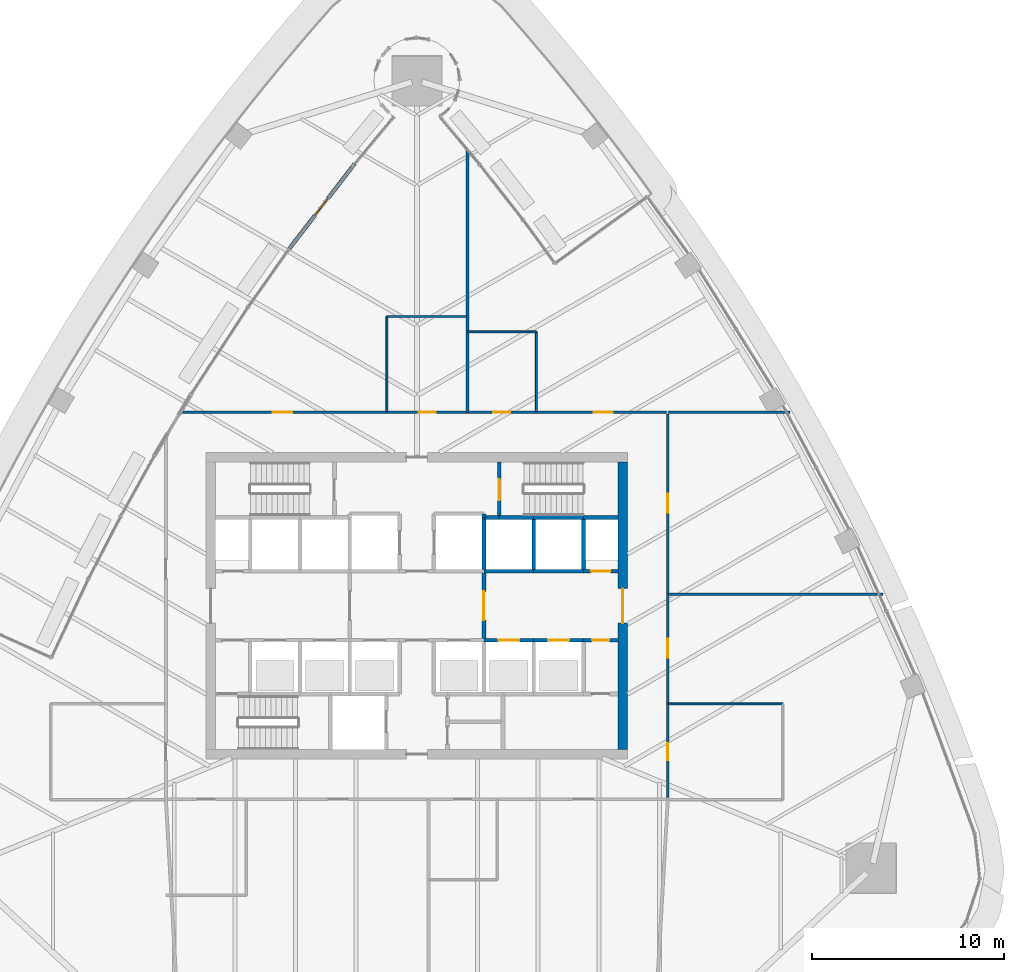
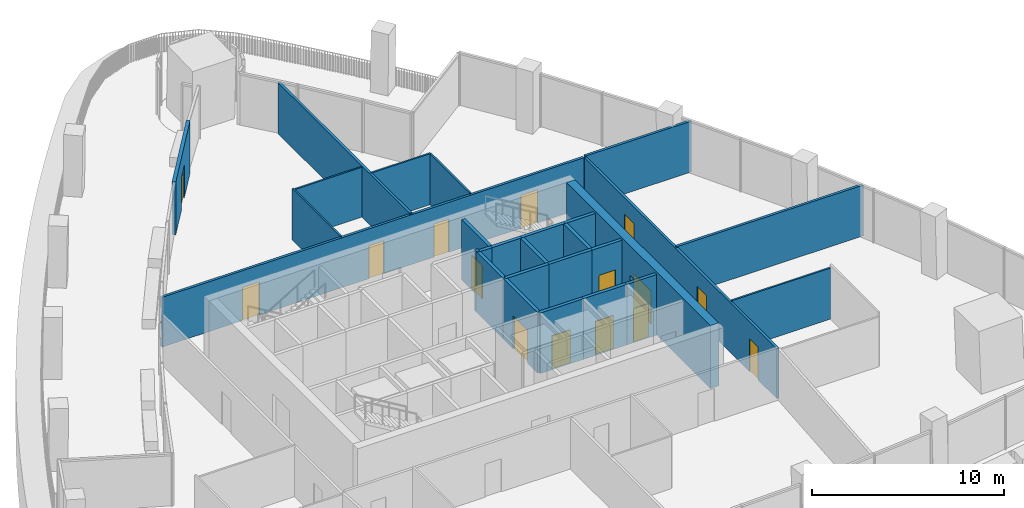
# One storey, part 13 of 19: 28 walls, 15 doors, 15 openings.
"""IFC4 building model written with IfcOpenShell, lengths in metres."""

from ifc_helpers import new_model, si_unit, direction, frame, frame_2d, origin, place, context, subcontext, project, spatial, rectangle, extrude, material, layer, layer_set, type_object, element, fill, save


model = new_model("IFC4")

# Units and contexts
model_context = context("Model", 3, precision=1e-05, world=origin(), true_north=direction((0.0, 1.0)))
body_context = subcontext(model_context, "Body", "Model", "MODEL_VIEW")
ifc_project = project(units=[si_unit("LENGTHUNIT", "METRE"), si_unit("AREAUNIT", "SQUARE_METRE"), si_unit("VOLUMEUNIT", "CUBIC_METRE"), si_unit("PLANEANGLEUNIT", "RADIAN"), si_unit("MASSUNIT", "GRAM", prefix="KILO")], contexts=[model_context])

# Site, building, storey
site_placement = place(None, origin())
site = spatial("IfcSite", under=ifc_project, at=site_placement, CompositionType="ELEMENT")
building_placement = place(site_placement, origin())
building = spatial("IfcBuilding", under=site, at=building_placement, Name="Sierra Prisma Convention Tower", CompositionType="ELEMENT")
storey_placement = place(building_placement, frame((0.0, 0.0, 173.800048828125)))
storey = spatial("IfcBuildingStorey", under=building, at=storey_placement, Name="L38", CompositionType="ELEMENT", Elevation=173.800048828125)

# Walls
ifc_material_1 = material(Name="Gypsum board partition", Category="gypsum")
ifc_layer_1 = layer(ifc_material_1, 0.10009765625)
ifc_layer_set_1 = layer_set([ifc_layer_1], Name="Bathroom partition 100")
wall_type_1 = type_object("IfcWallType", Name="Bathroom partition 100", PredefinedType="PARTITIONING", material=ifc_layer_set_1)
wall_1_placement = place(storey_placement, frame((-1.561767578125, 10.1298828125, 0.0), z_axis=(0.0, 0.0, 1.0), x_axis=(0.0, 1.0, 0.0)))
element("IfcWall", 1, at=wall_1_placement, inside=storey, type_object=wall_type_1, Name="Partition L38 bath 6", PredefinedType="PARTITIONING", context=body_context, shape_type="SweptSolid", body=[
    extrude(rectangle(XDim=4.97021484375, YDim=0.10009765625, at=frame_2d((2.485107421875, 0.0))), origin(), (0.0, 0.0, 1.0), 3.2470703125),
])
wall_2_placement = place(storey_placement, frame((-1.561767578125, 15.10009765625, 0.0), z_axis=(0.0, 0.0, 1.0), x_axis=(1.0, 0.0, 0.0)))
element("IfcWall", 2, at=wall_2_placement, inside=storey, type_object=wall_type_1, Name="Partition L38 bath 7", PredefinedType="PARTITIONING", context=body_context, shape_type="SweptSolid", body=[
    extrude(rectangle(XDim=4.170166015625, YDim=0.10009765625, at=frame_2d((2.0849609375, 0.0))), origin(), (0.0, 0.0, 1.0), 3.166015625),
])
wall_3_placement = place(storey_placement, frame((2.668212890625, 14.300048828125, 0.0), z_axis=(0.0, 0.0, 1.0), x_axis=(1.0, 0.0, 0.0)))
element("IfcWall", 3, at=wall_3_placement, inside=storey, type_object=wall_type_1, Name="Partition L38 bath 10", PredefinedType="PARTITIONING", context=body_context, shape_type="SweptSolid", body=[
    extrude(rectangle(XDim=3.570068359375, YDim=0.10009765625, at=frame_2d((1.78515625, 0.0))), origin(), (0.0, 0.0, 1.0), 3.2470703125),
])
wall_4_placement = place(storey_placement, frame((6.23828125, 14.300048828125, 0.0), z_axis=(0.0, 0.0, 1.0), x_axis=(0.0, -1.0, 0.0)))
element("IfcWall", 4, at=wall_4_placement, inside=storey, type_object=wall_type_1, Name="Partition L38 bath 11", PredefinedType="PARTITIONING", context=body_context, shape_type="SweptSolid", body=[
    extrude(rectangle(XDim=4.170166015625, YDim=0.10009765625, at=frame_2d((2.0849609375, 0.0))), origin(), (0.0, 0.0, 1.0), 3.2470703125),
])
wall_5_placement = place(storey_placement, frame((13.1298828125, -5.1201171875, 0.0), z_axis=(0.0, 0.0, 1.0), x_axis=(1.0, 0.0, 0.0)))
element("IfcWall", 5, at=wall_5_placement, inside=storey, type_object=wall_type_1, Name="Partition L38 bath 12", PredefinedType="PARTITIONING", context=body_context, shape_type="SweptSolid", body=[
    extrude(rectangle(XDim=5.97021484375, YDim=0.10009765625, at=frame_2d((2.985107421875, 0.0))), origin(), (0.0, 0.0, 1.0), 3.2470703125),
])
ifc_material_2 = material(Name="Concrete C30/37", Category="concrete")
ifc_layer_2 = layer(ifc_material_2, 0.199951171875)
ifc_layer_set_2 = layer_set([ifc_layer_2], Name="Core wall RC 200 C30/37")
wall_type_2 = type_object("IfcWallType", Name="Core wall RC 200 C30/37", PredefinedType="SOLIDWALL", material=ifc_layer_set_2)
wall_6_placement = place(storey_placement, frame((3.5, 4.60009765625, 0.0), z_axis=(0.0, 0.0, 1.0), x_axis=(0.0, 1.0, 0.0)))
element("IfcWall", 6, at=wall_6_placement, inside=storey, type_object=wall_type_2, Name="Core wall L38 39", PredefinedType="SOLIDWALL", context=body_context, shape_type="SweptSolid", body=[
    extrude(rectangle(XDim=0.199951171875, YDim=0.199951171875, at=frame_2d((0.10009765625, 0.0))), origin(), (0.0, 0.0, 1.0), 3.849853515625),
])

# Wall, opening, door
wall_7_placement = place(storey_placement, frame((3.5, -1.800048828125, 0.0), z_axis=(0.0, 0.0, 1.0), x_axis=(1.0, 0.0, 0.0)))
wall_7 = element("IfcWall", 7, at=wall_7_placement, inside=storey, type_object=wall_type_2, Name="Core wall L38 48", PredefinedType="SOLIDWALL", context=body_context, shape_type="SweptSolid", body=[
    extrude(rectangle(XDim=2.60009765625, YDim=0.199951171875, at=frame_2d((1.300048828125, 0.0))), origin(), (0.0, 0.0, 1.0), 3.849853515625),
])
opening_1_placement = place(wall_7_placement, frame((0.75, 0.0, 0.0)))
opening_1 = element("IfcOpeningElement", 8, at=opening_1_placement, cuts=wall_7, Name="Opening L38-D007", PredefinedType="OPENING", context=body_context, shape_type="SweptSolid", body=[
    extrude(rectangle(XDim=1.10009765625, YDim=2.10009765625, at=frame_2d((0.550048828125, 1.050048828125))), frame((0.0, 0.10009765625, 0.0), z_axis=(0.0, -1.0, 0.0), x_axis=(1.0, 0.0, 0.0)), (0.0, 0.0, 1.0), 0.199951171875),
])
ifc_material_3 = material(Name="Steel fire door leaf", Category="steel")
door_type_1 = type_object("IfcDoorType", Name="Door 1100x2100 EI 90 sliding lift landing", OperationType="SLIDING_TO_LEFT", PredefinedType="DOOR", material=ifc_material_3)
door_1_placement = place(opening_1_placement, origin())
door_1 = element("IfcDoor", 9, at=door_1_placement, inside=storey, type_object=door_type_1, Name="Door L38 18", OperationType="SLIDING_TO_LEFT", OverallHeight=2.10009765625, OverallWidth=1.10009765625, PredefinedType="DOOR", context=body_context, shape_type="SweptSolid", body=[
    extrude(rectangle(XDim=1.10009765625, YDim=2.10009765625, at=frame_2d((0.550048828125, 1.050048828125))), frame((0.0, 0.02490234375, 0.0), z_axis=(0.0, -1.0, 0.0), x_axis=(1.0, 0.0, 0.0)), (0.0, 0.0, 1.0), 0.050048828125),
])
fill(opening_1, door_1)

wall_8_placement = place(storey_placement, frame((3.5, -1.800048828125, 0.0), z_axis=(0.0, 0.0, 1.0), x_axis=(0.0, 1.0, 0.0)))
wall_8 = element("IfcWall", 10, at=wall_8_placement, inside=storey, type_object=wall_type_2, Name="Core wall L38 49", PredefinedType="SOLIDWALL", context=body_context, shape_type="SweptSolid", body=[
    extrude(rectangle(XDim=3.60009765625, YDim=0.199951171875, at=frame_2d((1.800048828125, 0.0))), origin(), (0.0, 0.0, 1.0), 3.849853515625),
])
opening_2_placement = place(wall_8_placement, frame((1.050048828125, 0.0, 0.0)))
opening_2 = element("IfcOpeningElement", 11, at=opening_2_placement, cuts=wall_8, Name="Opening L38-D013", PredefinedType="OPENING", context=body_context, shape_type="SweptSolid", body=[
    extrude(rectangle(XDim=1.5, YDim=2.10009765625, at=frame_2d((0.75, 1.050048828125))), frame((0.0, 0.10009765625, 0.0), z_axis=(0.0, -1.0, 0.0), x_axis=(1.0, 0.0, 0.0)), (0.0, 0.0, 1.0), 0.199951171875),
])
ifc_material_4 = material(Name="Steel fire door leaf", Category="steel")
door_type_2 = type_object("IfcDoorType", Name="Door 1500x2100 FD30S", OperationType="DOUBLE_DOOR_SINGLE_SWING", PredefinedType="DOOR", material=ifc_material_4)
door_2_placement = place(opening_2_placement, origin())
door_2 = element("IfcDoor", 12, at=door_2_placement, inside=storey, type_object=door_type_2, Name="Door L38 24", OperationType="DOUBLE_DOOR_SINGLE_SWING", OverallHeight=2.10009765625, OverallWidth=1.5, PredefinedType="DOOR", context=body_context, shape_type="SweptSolid", body=[
    extrude(rectangle(XDim=1.5, YDim=2.10009765625, at=frame_2d((0.75, 1.050048828125))), frame((0.0, 0.02490234375, 0.0), z_axis=(0.0, -1.0, 0.0), x_axis=(1.0, 0.0, 0.0)), (0.0, 0.0, 1.0), 0.050048828125),
])
fill(opening_2, door_2)

# Walls
wall_9_placement = place(storey_placement, frame((6.10009765625, 1.800048828125, 0.0), z_axis=(0.0, 0.0, 1.0), x_axis=(-1.0, 0.0, 0.0)))
element("IfcWall", 13, at=wall_9_placement, inside=storey, type_object=wall_type_2, Name="Core wall L38 50", PredefinedType="SOLIDWALL", context=body_context, shape_type="SweptSolid", body=[
    extrude(rectangle(XDim=2.60009765625, YDim=0.199951171875, at=frame_2d((1.300048828125, 0.0))), origin(), (0.0, 0.0, 1.0), 3.849853515625),
])
wall_10_placement = place(storey_placement, frame((3.5, 1.800048828125, 0.0), z_axis=(0.0, 0.0, 1.0), x_axis=(0.0, 1.0, 0.0)))
element("IfcWall", 14, at=wall_10_placement, inside=storey, type_object=wall_type_2, Name="Core wall L38 51", PredefinedType="SOLIDWALL", context=body_context, shape_type="SweptSolid", body=[
    extrude(rectangle(XDim=2.800048828125, YDim=0.199951171875, at=frame_2d((1.39990234375, 0.0))), origin(), (0.0, 0.0, 1.0), 3.849853515625),
])
wall_11_placement = place(storey_placement, frame((4.300048828125, 4.60009765625, 0.0), z_axis=(0.0, 0.0, 1.0), x_axis=(-1.0, 0.0, 0.0)))
element("IfcWall", 15, at=wall_11_placement, inside=storey, type_object=wall_type_2, Name="Core wall L38 52", PredefinedType="SOLIDWALL", context=body_context, shape_type="SweptSolid", body=[
    extrude(rectangle(XDim=0.800048828125, YDim=0.199951171875, at=frame_2d((0.39990234375, 0.0))), origin(), (0.0, 0.0, 1.0), 3.849853515625),
])
wall_12_placement = place(storey_placement, frame((6.10009765625, 4.60009765625, 0.0), z_axis=(0.0, 0.0, 1.0), x_axis=(-1.0, 0.0, 0.0)))
element("IfcWall", 16, at=wall_12_placement, inside=storey, type_object=wall_type_2, Name="Core wall L38 53", PredefinedType="SOLIDWALL", context=body_context, shape_type="SweptSolid", body=[
    extrude(rectangle(XDim=1.800048828125, YDim=0.199951171875, at=frame_2d((0.89990234375, 0.0))), origin(), (0.0, 0.0, 1.0), 3.849853515625),
])

# Wall, opening, door
wall_13_placement = place(storey_placement, frame((4.300048828125, 7.5, 0.0), z_axis=(0.0, 0.0, 1.0), x_axis=(0.0, -1.0, 0.0)))
wall_13 = element("IfcWall", 17, at=wall_13_placement, inside=storey, type_object=wall_type_2, Name="Core wall L38 54", PredefinedType="SOLIDWALL", context=body_context, shape_type="SweptSolid", body=[
    extrude(rectangle(XDim=2.89990234375, YDim=0.199951171875, at=frame_2d((1.449951171875, 0.0))), origin(), (0.0, 0.0, 1.0), 3.849853515625),
])
opening_3_placement = place(wall_13_placement, frame((0.89990234375, 0.0, 0.0)))
opening_3 = element("IfcOpeningElement", 18, at=opening_3_placement, cuts=wall_13, Name="Opening L38-D021", PredefinedType="OPENING", context=body_context, shape_type="SweptSolid", body=[
    extrude(rectangle(XDim=1.10009765625, YDim=2.10009765625, at=frame_2d((0.550048828125, 1.050048828125))), frame((0.0, 0.10009765625, 0.0), z_axis=(0.0, -1.0, 0.0), x_axis=(1.0, 0.0, 0.0)), (0.0, 0.0, 1.0), 0.199951171875),
])
ifc_material_5 = material(Name="Steel fire door leaf", Category="steel")
door_type_3 = type_object("IfcDoorType", Name="Door 1100x2100 FD90S", OperationType="SINGLE_SWING_LEFT", PredefinedType="DOOR", material=ifc_material_5)
door_3_placement = place(opening_3_placement, origin())
door_3 = element("IfcDoor", 19, at=door_3_placement, inside=storey, type_object=door_type_3, Name="Door L38 32", OperationType="SINGLE_SWING_RIGHT", OverallHeight=2.10009765625, OverallWidth=1.10009765625, PredefinedType="DOOR", context=body_context, shape_type="SweptSolid", body=[
    extrude(rectangle(XDim=1.10009765625, YDim=2.10009765625, at=frame_2d((0.550048828125, 1.050048828125))), frame((0.0, 0.02490234375, 0.0), z_axis=(0.0, -1.0, 0.0), x_axis=(1.0, 0.0, 0.0)), (0.0, 0.0, 1.0), 0.050048828125),
])
fill(opening_3, door_3)

wall_14_placement = place(storey_placement, frame((6.10009765625, -1.800048828125, 0.0), z_axis=(0.0, 0.0, 1.0), x_axis=(1.0, 0.0, 0.0)))
wall_14 = element("IfcWall", 20, at=wall_14_placement, inside=storey, type_object=wall_type_2, Name="Core wall L38 60", PredefinedType="SOLIDWALL", context=body_context, shape_type="SweptSolid", body=[
    extrude(rectangle(XDim=2.599853515625, YDim=0.199951171875, at=frame_2d((1.2998046875, 0.0))), origin(), (0.0, 0.0, 1.0), 3.849853515625),
])
opening_4_placement = place(wall_14_placement, frame((0.75, 0.0, 0.0)))
opening_4 = element("IfcOpeningElement", 21, at=opening_4_placement, cuts=wall_14, Name="Opening L38-D008", PredefinedType="OPENING", context=body_context, shape_type="SweptSolid", body=[
    extrude(rectangle(XDim=1.10009765625, YDim=2.10009765625, at=frame_2d((0.550048828125, 1.050048828125))), frame((0.0, 0.10009765625, 0.0), z_axis=(0.0, -1.0, 0.0), x_axis=(1.0, 0.0, 0.0)), (0.0, 0.0, 1.0), 0.199951171875),
])
door_4_placement = place(opening_4_placement, origin())
door_4 = element("IfcDoor", 22, at=door_4_placement, inside=storey, type_object=door_type_1, Name="Door L38 19", OperationType="SLIDING_TO_LEFT", OverallHeight=2.10009765625, OverallWidth=1.10009765625, PredefinedType="DOOR", context=body_context, shape_type="SweptSolid", body=[
    extrude(rectangle(XDim=1.10009765625, YDim=2.10009765625, at=frame_2d((0.550048828125, 1.050048828125))), frame((0.0, 0.02490234375, 0.0), z_axis=(0.0, -1.0, 0.0), x_axis=(1.0, 0.0, 0.0)), (0.0, 0.0, 1.0), 0.050048828125),
])
fill(opening_4, door_4)

# Walls
wall_15_placement = place(storey_placement, frame((8.699951171875, 1.800048828125, 0.0), z_axis=(0.0, 0.0, 1.0), x_axis=(-1.0, 0.0, 0.0)))
element("IfcWall", 23, at=wall_15_placement, inside=storey, type_object=wall_type_2, Name="Core wall L38 61", PredefinedType="SOLIDWALL", context=body_context, shape_type="SweptSolid", body=[
    extrude(rectangle(XDim=2.599853515625, YDim=0.199951171875, at=frame_2d((1.2998046875, 0.0))), origin(), (0.0, 0.0, 1.0), 3.849853515625),
])
wall_16_placement = place(storey_placement, frame((6.10009765625, 1.800048828125, 0.0), z_axis=(0.0, 0.0, 1.0), x_axis=(0.0, 1.0, 0.0)))
element("IfcWall", 24, at=wall_16_placement, inside=storey, type_object=wall_type_2, Name="Core wall L38 62", PredefinedType="SOLIDWALL", context=body_context, shape_type="SweptSolid", body=[
    extrude(rectangle(XDim=2.800048828125, YDim=0.199951171875, at=frame_2d((1.39990234375, 0.0))), origin(), (0.0, 0.0, 1.0), 3.849853515625),
])
wall_17_placement = place(storey_placement, frame((8.699951171875, 4.60009765625, 0.0), z_axis=(0.0, 0.0, 1.0), x_axis=(-1.0, 0.0, 0.0)))
element("IfcWall", 25, at=wall_17_placement, inside=storey, type_object=wall_type_2, Name="Core wall L38 63", PredefinedType="SOLIDWALL", context=body_context, shape_type="SweptSolid", body=[
    extrude(rectangle(XDim=2.599853515625, YDim=0.199951171875, at=frame_2d((1.2998046875, 0.0))), origin(), (0.0, 0.0, 1.0), 3.849853515625),
])

# Wall, opening, door
wall_18_placement = place(storey_placement, frame((8.699951171875, -1.800048828125, 0.0), z_axis=(0.0, 0.0, 1.0), x_axis=(1.0, 0.0, 0.0)))
wall_18 = element("IfcWall", 26, at=wall_18_placement, inside=storey, type_object=wall_type_2, Name="Core wall L38 66", PredefinedType="SOLIDWALL", context=body_context, shape_type="SweptSolid", body=[
    extrude(rectangle(XDim=1.800048828125, YDim=0.199951171875, at=frame_2d((0.89990234375, 0.0))), origin(), (0.0, 0.0, 1.0), 3.849853515625),
])
opening_5_placement = place(wall_18_placement, frame((0.449951171875, 0.0, 0.0)))
opening_5 = element("IfcOpeningElement", 27, at=opening_5_placement, cuts=wall_18, Name="Opening L38-D023", PredefinedType="OPENING", context=body_context, shape_type="SweptSolid", body=[
    extrude(rectangle(XDim=0.89990234375, YDim=2.10009765625, at=frame_2d((0.449951171875, 1.050048828125))), frame((0.0, 0.10009765625, 0.0), z_axis=(0.0, -1.0, 0.0), x_axis=(1.0, 0.0, 0.0)), (0.0, 0.0, 1.0), 0.199951171875),
])
ifc_material_6 = material(Name="Steel fire door leaf", Category="steel")
door_type_4 = type_object("IfcDoorType", Name="Door 900x2100 FD30S", OperationType="SINGLE_SWING_LEFT", PredefinedType="DOOR", material=ifc_material_6)
door_5_placement = place(opening_5_placement, origin())
door_5 = element("IfcDoor", 28, at=door_5_placement, inside=storey, type_object=door_type_4, Name="Door L38 34", OperationType="SINGLE_SWING_RIGHT", OverallHeight=2.10009765625, OverallWidth=0.89990234375, PredefinedType="DOOR", context=body_context, shape_type="SweptSolid", body=[
    extrude(rectangle(XDim=0.89990234375, YDim=2.10009765625, at=frame_2d((0.449951171875, 1.050048828125))), frame((0.0, 0.02490234375, 0.0), z_axis=(0.0, -1.0, 0.0), x_axis=(1.0, 0.0, 0.0)), (0.0, 0.0, 1.0), 0.050048828125),
])
fill(opening_5, door_5)

wall_19_placement = place(storey_placement, frame((10.5, 1.800048828125, 0.0), z_axis=(0.0, 0.0, 1.0), x_axis=(-1.0, 0.0, 0.0)))
wall_19 = element("IfcWall", 29, at=wall_19_placement, inside=storey, type_object=wall_type_2, Name="Core wall L38 67", PredefinedType="SOLIDWALL", context=body_context, shape_type="SweptSolid", body=[
    extrude(rectangle(XDim=1.800048828125, YDim=0.199951171875, at=frame_2d((0.89990234375, 0.0))), origin(), (0.0, 0.0, 1.0), 3.849853515625),
])
opening_6_placement = place(wall_19_placement, frame((0.39990234375, 0.0, 0.0)))
opening_6 = element("IfcOpeningElement", 30, at=opening_6_placement, cuts=wall_19, Name="Opening L38-D018", PredefinedType="OPENING", context=body_context, shape_type="SweptSolid", body=[
    extrude(rectangle(XDim=1.0, YDim=2.10009765625, at=frame_2d((0.5, 1.050048828125))), frame((0.0, 0.10009765625, 0.0), z_axis=(0.0, -1.0, 0.0), x_axis=(1.0, 0.0, 0.0)), (0.0, 0.0, 1.0), 0.199951171875),
])
ifc_material_7 = material(Name="Steel fire door leaf", Category="steel")
door_type_5 = type_object("IfcDoorType", Name="Door 1000x2100 FD60S", OperationType="SINGLE_SWING_LEFT", PredefinedType="DOOR", material=ifc_material_7)
door_6_placement = place(opening_6_placement, origin())
door_6 = element("IfcDoor", 31, at=door_6_placement, inside=storey, type_object=door_type_5, Name="Door L38 29", OperationType="SINGLE_SWING_LEFT", OverallHeight=2.10009765625, OverallWidth=1.0, PredefinedType="DOOR", context=body_context, shape_type="SweptSolid", body=[
    extrude(rectangle(XDim=1.0, YDim=2.10009765625, at=frame_2d((0.5, 1.050048828125))), frame((0.0, 0.02490234375, 0.0), z_axis=(0.0, -1.0, 0.0), x_axis=(1.0, 0.0, 0.0)), (0.0, 0.0, 1.0), 0.050048828125),
])
fill(opening_6, door_6)

# Walls
wall_20_placement = place(storey_placement, frame((8.699951171875, 4.60009765625, 0.0), z_axis=(0.0, 0.0, 1.0), x_axis=(0.0, -1.0, 0.0)))
element("IfcWall", 32, at=wall_20_placement, inside=storey, type_object=wall_type_2, Name="Core wall L38 68", PredefinedType="SOLIDWALL", context=body_context, shape_type="SweptSolid", body=[
    extrude(rectangle(XDim=2.800048828125, YDim=0.199951171875, at=frame_2d((1.39990234375, 0.0))), origin(), (0.0, 0.0, 1.0), 3.849853515625),
])
wall_21_placement = place(storey_placement, frame((10.5, 4.60009765625, 0.0), z_axis=(0.0, 0.0, 1.0), x_axis=(-1.0, 0.0, 0.0)))
element("IfcWall", 33, at=wall_21_placement, inside=storey, type_object=wall_type_2, Name="Core wall L38 69", PredefinedType="SOLIDWALL", context=body_context, shape_type="SweptSolid", body=[
    extrude(rectangle(XDim=1.800048828125, YDim=0.199951171875, at=frame_2d((0.89990234375, 0.0))), origin(), (0.0, 0.0, 1.0), 3.849853515625),
])

# Wall, opening, door
ifc_material_8 = material(Name="Concrete C60/75", Category="concrete")
ifc_layer_3 = layer(ifc_material_8, 0.5)
ifc_layer_set_3 = layer_set([ifc_layer_3], Name="Core wall RC 500 C60/75")
wall_type_3 = type_object("IfcWallType", Name="Core wall RC 500 C60/75", PredefinedType="SHEAR", material=ifc_layer_set_3)
wall_22_placement = place(storey_placement, frame((10.75, -7.5, 0.0), z_axis=(0.0, 0.0, 1.0), x_axis=(0.0, 1.0, 0.0)))
wall_22 = element("IfcWall", 34, at=wall_22_placement, inside=storey, type_object=wall_type_3, Name="Core wall E L38", PredefinedType="SHEAR", context=body_context, shape_type="SweptSolid", body=[
    extrude(rectangle(XDim=15.0, YDim=0.5, at=frame_2d((7.5, 0.0))), origin(), (0.0, 0.0, 1.0), 4.0),
])
opening_7_placement = place(wall_22_placement, frame((6.60009765625, 0.0, 0.0)))
opening_7 = element("IfcOpeningElement", 35, at=opening_7_placement, cuts=wall_22, Name="Opening L38-D039", PredefinedType="OPENING", context=body_context, shape_type="SweptSolid", body=[
    extrude(rectangle(XDim=1.800048828125, YDim=2.10009765625, at=frame_2d((0.89990234375, 1.050048828125))), frame((0.0, 0.25, 0.0), z_axis=(0.0, -1.0, 0.0), x_axis=(1.0, 0.0, 0.0)), (0.0, 0.0, 1.0), 0.5),
])
ifc_material_9 = material(Name="Steel fire door leaf", Category="steel")
door_type_6 = type_object("IfcDoorType", Name="Door 1800x2100 FD60S", OperationType="DOUBLE_DOOR_SINGLE_SWING", PredefinedType="DOOR", material=ifc_material_9)
door_7_placement = place(opening_7_placement, origin())
door_7 = element("IfcDoor", 36, at=door_7_placement, inside=storey, type_object=door_type_6, Name="Door L38 38", OperationType="DOUBLE_DOOR_SINGLE_SWING", OverallHeight=2.10009765625, OverallWidth=1.800048828125, PredefinedType="DOOR", context=body_context, shape_type="SweptSolid", body=[
    extrude(rectangle(XDim=1.800048828125, YDim=2.10009765625, at=frame_2d((0.89990234375, 1.050048828125))), frame((0.0, 0.02490234375, 0.0), z_axis=(0.0, -1.0, 0.0), x_axis=(1.0, 0.0, 0.0)), (0.0, 0.0, 1.0), 0.050048828125),
])
fill(opening_7, door_7)

# Wall, openings, doors
ifc_material_10 = material(Name="Gypsum board partition", Category="gypsum")
ifc_layer_4 = layer(ifc_material_10, 0.14990234375)
ifc_layer_set_4 = layer_set([ifc_layer_4], Name="Corridor wall 150 gypsum EI 60")
wall_type_4 = type_object("IfcWallType", Name="Corridor wall 150 gypsum EI 60", PredefinedType="PARTITIONING", material=ifc_layer_set_4)
wall_23_placement = place(storey_placement, frame((13.02001953125, 10.10009765625, 0.0), z_axis=(0.0, 0.0, 1.0), x_axis=(-1.0, 0.0, 0.0)))
wall_23 = element("IfcWall", 37, at=wall_23_placement, inside=storey, type_object=wall_type_4, Name="Partition L38 corr 3", PredefinedType="PARTITIONING", context=body_context, shape_type="SweptSolid", body=[
    extrude(rectangle(XDim=25.3818359375, YDim=0.14990234375, at=frame_2d((12.69091796875, 0.0))), origin(), (0.0, 0.0, 1.0), 3.166015625),
])
opening_8_placement = place(wall_23_placement, frame((8.131591796875, 0.0, 0.0)))
opening_8 = element("IfcOpeningElement", 38, at=opening_8_placement, cuts=wall_23, Name="Opening L38-D027", PredefinedType="OPENING", context=body_context, shape_type="SweptSolid", body=[
    extrude(rectangle(XDim=0.89990234375, YDim=2.10009765625, at=frame_2d((0.449951171875, 1.050048828125))), frame((0.0, 0.074951171875, 0.0), z_axis=(0.0, -1.0, 0.0), x_axis=(1.0, 0.0, 0.0)), (0.0, 0.0, 1.0), 0.14990234375),
])
opening_9_placement = place(wall_23_placement, frame((2.791015625, 0.0, 0.0)))
opening_9 = element("IfcOpeningElement", 39, at=opening_9_placement, cuts=wall_23, Name="Opening L38-D028", PredefinedType="OPENING", context=body_context, shape_type="SweptSolid", body=[
    extrude(rectangle(XDim=1.0, YDim=2.10009765625, at=frame_2d((0.5, 1.050048828125))), frame((0.0, 0.074951171875, 0.0), z_axis=(0.0, -1.0, 0.0), x_axis=(1.0, 0.0, 0.0)), (0.0, 0.0, 1.0), 0.14990234375),
])
opening_10_placement = place(wall_23_placement, frame((12.03173828125, 0.0, 0.0)))
opening_10 = element("IfcOpeningElement", 40, at=opening_10_placement, cuts=wall_23, Name="Opening L38-D029", PredefinedType="OPENING", context=body_context, shape_type="SweptSolid", body=[
    extrude(rectangle(XDim=0.89990234375, YDim=2.10009765625, at=frame_2d((0.449951171875, 1.050048828125))), frame((0.0, 0.074951171875, 0.0), z_axis=(0.0, -1.0, 0.0), x_axis=(1.0, 0.0, 0.0)), (0.0, 0.0, 1.0), 0.14990234375),
])
opening_11_placement = place(wall_23_placement, frame((19.53173828125, 0.0, 0.0)))
opening_11 = element("IfcOpeningElement", 41, at=opening_11_placement, cuts=wall_23, Name="Opening L38-D030", PredefinedType="OPENING", context=body_context, shape_type="SweptSolid", body=[
    extrude(rectangle(XDim=1.0, YDim=2.10009765625, at=frame_2d((0.5, 1.050048828125))), frame((0.0, 0.074951171875, 0.0), z_axis=(0.0, -1.0, 0.0), x_axis=(1.0, 0.0, 0.0)), (0.0, 0.0, 1.0), 0.14990234375),
])
ifc_material_11 = material(Name="Steel fire door leaf", Category="steel")
door_type_7 = type_object("IfcDoorType", Name="Door 1000x2100 FD30S", OperationType="SINGLE_SWING_LEFT", PredefinedType="DOOR", material=ifc_material_11)
door_8_placement = place(opening_9_placement, origin())
door_8 = element("IfcDoor", 42, at=door_8_placement, inside=storey, type_object=door_type_7, Name="Door L38 3", OperationType="SINGLE_SWING_RIGHT", OverallHeight=2.10009765625, OverallWidth=1.0, PredefinedType="DOOR", context=body_context, shape_type="SweptSolid", body=[
    extrude(rectangle(XDim=1.0, YDim=2.10009765625, at=frame_2d((0.5, 1.050048828125))), frame((0.0, 0.02490234375, 0.0), z_axis=(0.0, -1.0, 0.0), x_axis=(1.0, 0.0, 0.0)), (0.0, 0.0, 1.0), 0.050048828125),
])
fill(opening_9, door_8)
door_9_placement = place(opening_11_placement, origin())
door_9 = element("IfcDoor", 43, at=door_9_placement, inside=storey, type_object=door_type_7, Name="Door L38 5", OperationType="SINGLE_SWING_RIGHT", OverallHeight=2.10009765625, OverallWidth=1.0, PredefinedType="DOOR", context=body_context, shape_type="SweptSolid", body=[
    extrude(rectangle(XDim=1.0, YDim=2.10009765625, at=frame_2d((0.5, 1.050048828125))), frame((0.0, 0.02490234375, 0.0), z_axis=(0.0, -1.0, 0.0), x_axis=(1.0, 0.0, 0.0)), (0.0, 0.0, 1.0), 0.050048828125),
])
fill(opening_11, door_9)
door_10_placement = place(opening_8_placement, origin())
door_10 = element("IfcDoor", 44, at=door_10_placement, inside=storey, type_object=door_type_4, Name="Door L38 2", OperationType="SINGLE_SWING_LEFT", OverallHeight=2.10009765625, OverallWidth=0.89990234375, PredefinedType="DOOR", context=body_context, shape_type="SweptSolid", body=[
    extrude(rectangle(XDim=0.89990234375, YDim=2.10009765625, at=frame_2d((0.449951171875, 1.050048828125))), frame((0.0, 0.02490234375, 0.0), z_axis=(0.0, -1.0, 0.0), x_axis=(1.0, 0.0, 0.0)), (0.0, 0.0, 1.0), 0.050048828125),
])
fill(opening_8, door_10)
door_11_placement = place(opening_10_placement, origin())
door_11 = element("IfcDoor", 45, at=door_11_placement, inside=storey, type_object=door_type_4, Name="Door L38 4", OperationType="SINGLE_SWING_LEFT", OverallHeight=2.10009765625, OverallWidth=0.89990234375, PredefinedType="DOOR", context=body_context, shape_type="SweptSolid", body=[
    extrude(rectangle(XDim=0.89990234375, YDim=2.10009765625, at=frame_2d((0.449951171875, 1.050048828125))), frame((0.0, 0.02490234375, 0.0), z_axis=(0.0, -1.0, 0.0), x_axis=(1.0, 0.0, 0.0)), (0.0, 0.0, 1.0), 0.050048828125),
])
fill(opening_10, door_11)

wall_24_placement = place(storey_placement, frame((13.10009765625, -10.02001953125, 0.0), z_axis=(0.0, 0.0, 1.0), x_axis=(0.0, 1.0, 0.0)))
wall_24 = element("IfcWall", 46, at=wall_24_placement, inside=storey, type_object=wall_type_4, Name="Partition L38 corr 4", PredefinedType="PARTITIONING", context=body_context, shape_type="SweptSolid", body=[
    extrude(rectangle(XDim=20.0400390625, YDim=0.14990234375, at=frame_2d((10.02001953125, 0.0))), origin(), (0.0, 0.0, 1.0), 3.166015625),
])
opening_12_placement = place(wall_24_placement, frame((14.8701171875, 0.0, 0.0)))
opening_12 = element("IfcOpeningElement", 47, at=opening_12_placement, cuts=wall_24, Name="Opening L38-D026", PredefinedType="OPENING", context=body_context, shape_type="SweptSolid", body=[
    extrude(rectangle(XDim=1.0, YDim=2.10009765625, at=frame_2d((0.5, 1.050048828125))), frame((0.0, 0.074951171875, 0.0), z_axis=(0.0, -1.0, 0.0), x_axis=(1.0, 0.0, 0.0)), (0.0, 0.0, 1.0), 0.14990234375),
])
opening_13_placement = place(wall_24_placement, frame((1.949951171875, 0.0, 0.0)))
opening_13 = element("IfcOpeningElement", 48, at=opening_13_placement, cuts=wall_24, Name="Opening L38-D037", PredefinedType="OPENING", context=body_context, shape_type="SweptSolid", body=[
    extrude(rectangle(XDim=0.89990234375, YDim=2.10009765625, at=frame_2d((0.449951171875, 1.050048828125))), frame((0.0, 0.074951171875, 0.0), z_axis=(0.0, -1.0, 0.0), x_axis=(1.0, 0.0, 0.0)), (0.0, 0.0, 1.0), 0.14990234375),
])
opening_14_placement = place(wall_24_placement, frame((7.31005859375, 0.0, 0.0)))
opening_14 = element("IfcOpeningElement", 49, at=opening_14_placement, cuts=wall_24, Name="Opening L38-D038", PredefinedType="OPENING", context=body_context, shape_type="SweptSolid", body=[
    extrude(rectangle(XDim=1.0, YDim=2.10009765625, at=frame_2d((0.5, 1.050048828125))), frame((0.0, 0.074951171875, 0.0), z_axis=(0.0, -1.0, 0.0), x_axis=(1.0, 0.0, 0.0)), (0.0, 0.0, 1.0), 0.14990234375),
])
door_12_placement = place(opening_12_placement, origin())
door_12 = element("IfcDoor", 50, at=door_12_placement, inside=storey, type_object=door_type_7, Name="Door L38 1", OperationType="SINGLE_SWING_LEFT", OverallHeight=2.10009765625, OverallWidth=1.0, PredefinedType="DOOR", context=body_context, shape_type="SweptSolid", body=[
    extrude(rectangle(XDim=1.0, YDim=2.10009765625, at=frame_2d((0.5, 1.050048828125))), frame((0.0, 0.02490234375, 0.0), z_axis=(0.0, -1.0, 0.0), x_axis=(1.0, 0.0, 0.0)), (0.0, 0.0, 1.0), 0.050048828125),
])
fill(opening_12, door_12)
door_13_placement = place(opening_14_placement, origin())
door_13 = element("IfcDoor", 51, at=door_13_placement, inside=storey, type_object=door_type_7, Name="Door L38 13", OperationType="SINGLE_SWING_RIGHT", OverallHeight=2.10009765625, OverallWidth=1.0, PredefinedType="DOOR", context=body_context, shape_type="SweptSolid", body=[
    extrude(rectangle(XDim=1.0, YDim=2.10009765625, at=frame_2d((0.5, 1.050048828125))), frame((0.0, 0.02490234375, 0.0), z_axis=(0.0, -1.0, 0.0), x_axis=(1.0, 0.0, 0.0)), (0.0, 0.0, 1.0), 0.050048828125),
])
fill(opening_14, door_13)
door_14_placement = place(opening_13_placement, origin())
door_14 = element("IfcDoor", 52, at=door_14_placement, inside=storey, type_object=door_type_4, Name="Door L38 12", OperationType="SINGLE_SWING_RIGHT", OverallHeight=2.10009765625, OverallWidth=0.89990234375, PredefinedType="DOOR", context=body_context, shape_type="SweptSolid", body=[
    extrude(rectangle(XDim=0.89990234375, YDim=2.10009765625, at=frame_2d((0.449951171875, 1.050048828125))), frame((0.0, 0.02490234375, 0.0), z_axis=(0.0, -1.0, 0.0), x_axis=(1.0, 0.0, 0.0)), (0.0, 0.0, 1.0), 0.050048828125),
])
fill(opening_13, door_14)

# Walls
ifc_material_12 = material(Name="Gypsum board partition", Category="gypsum")
ifc_layer_5 = layer(ifc_material_12, 0.14990234375)
ifc_layer_set_5 = layer_set([ifc_layer_5], Name="Party wall 150 gypsum")
wall_type_5 = type_object("IfcWallType", Name="Party wall 150 gypsum", PredefinedType="PARTITIONING", material=ifc_layer_set_5)
wall_25_placement = place(storey_placement, frame((2.63818359375, 10.10009765625, 0.0), z_axis=(0.0, 0.0, 1.0), x_axis=(0.0, 1.0, 0.0)))
element("IfcWall", 53, at=wall_25_placement, inside=storey, type_object=wall_type_5, Name="Partition L38 party 3", PredefinedType="PARTITIONING", context=body_context, shape_type="SweptSolid", body=[
    extrude(rectangle(XDim=13.71142578125, YDim=0.14990234375, at=frame_2d((6.855712890625, 0.0))), origin(), (0.0, 0.0, 1.0), 3.2470703125),
])
wall_26_placement = place(storey_placement, frame((24.327392578125, 0.60009765625, 0.0), z_axis=(0.0, 0.0, 1.0), x_axis=(-1.0, 0.0, 0.0)))
element("IfcWall", 54, at=wall_26_placement, inside=storey, type_object=wall_type_5, Name="Partition L38 party 5", PredefinedType="PARTITIONING", context=body_context, shape_type="SweptSolid", body=[
    extrude(rectangle(XDim=11.227294921875, YDim=0.14990234375, at=frame_2d((5.61376953125, 0.0))), origin(), (0.0, 0.0, 1.0), 3.23388671875),
])
wall_27_placement = place(storey_placement, frame((13.10009765625, 10.10009765625, 0.0), z_axis=(0.0, 0.0, 1.0), x_axis=(1.0, 0.0, 0.0)))
element("IfcWall", 55, at=wall_27_placement, inside=storey, type_object=wall_type_5, Name="Partition L38 party 6", PredefinedType="PARTITIONING", context=body_context, shape_type="SweptSolid", body=[
    extrude(rectangle(XDim=6.367431640625, YDim=0.14990234375, at=frame_2d((3.18359375, 0.0))), origin(), (0.0, 0.0, 1.0), 3.23388671875),
])

# Wall, opening, door
ifc_material_13 = material(Name="Precast concrete C40/50", Category="concrete")
ifc_layer_6 = layer(ifc_material_13, 0.199951171875)
ifc_layer_set_6 = layer_set([ifc_layer_6], Name="Terrace door pier")
wall_type_6 = type_object("IfcWallType", Name="Terrace door pier", PredefinedType="SOLIDWALL", material=ifc_layer_set_6)
wall_28_placement = place(storey_placement, frame((-3.24951171875, 23.071044921875, 0.0), z_axis=(0.0, 0.0, 1.0), x_axis=(-0.609922556237, -0.792461024526, 0.0)))
wall_28 = element("IfcWall", 56, at=wall_28_placement, inside=storey, type_object=wall_type_6, Name="Terrace door bay L38.28", PredefinedType="SOLIDWALL", context=body_context, shape_type="SweptSolid", body=[
    extrude(rectangle(XDim=5.681640625, YDim=0.199951171875, at=frame_2d((2.8408203125, 0.0))), origin(), (0.0, 0.0, 1.0), 3.33984375),
])
opening_15_placement = place(wall_28_placement, frame((2.290771484375, 0.0, 0.0)))
opening_15 = element("IfcOpeningElement", 57, at=opening_15_placement, cuts=wall_28, Name="Opening L38-D001", PredefinedType="OPENING", context=body_context, shape_type="SweptSolid", body=[
    extrude(rectangle(XDim=1.10009765625, YDim=2.10009765625, at=frame_2d((0.550048828125, 1.050048828125))), frame((0.0, 0.10009765625, 0.0), z_axis=(0.0, -1.0, 0.0), x_axis=(1.0, 0.0, 0.0)), (0.0, 0.0, 1.0), 0.199951171875),
])
ifc_material_14 = material(Name="Bronze anodised aluminium and glass", Category="aluminium")
door_type_8 = type_object("IfcDoorType", Name="Terrace door 1100 x 2100", OperationType="SINGLE_SWING_LEFT", PredefinedType="DOOR", material=ifc_material_14)
door_15_placement = place(opening_15_placement, origin())
door_15 = element("IfcDoor", 58, at=door_15_placement, inside=storey, type_object=door_type_8, Name="Terrace door L38.28", OperationType="SINGLE_SWING_RIGHT", OverallHeight=2.10009765625, OverallWidth=1.10009765625, PredefinedType="DOOR", context=body_context, shape_type="SweptSolid", body=[
    extrude(rectangle(XDim=1.10009765625, YDim=2.10009765625, at=frame_2d((0.550048828125, 1.050048828125))), frame((0.0, 0.02490234375, 0.0), z_axis=(0.0, -1.0, 0.0), x_axis=(1.0, 0.0, 0.0)), (0.0, 0.0, 1.0), 0.050048828125),
])
fill(opening_15, door_15)

save(model, "model.ifc")
